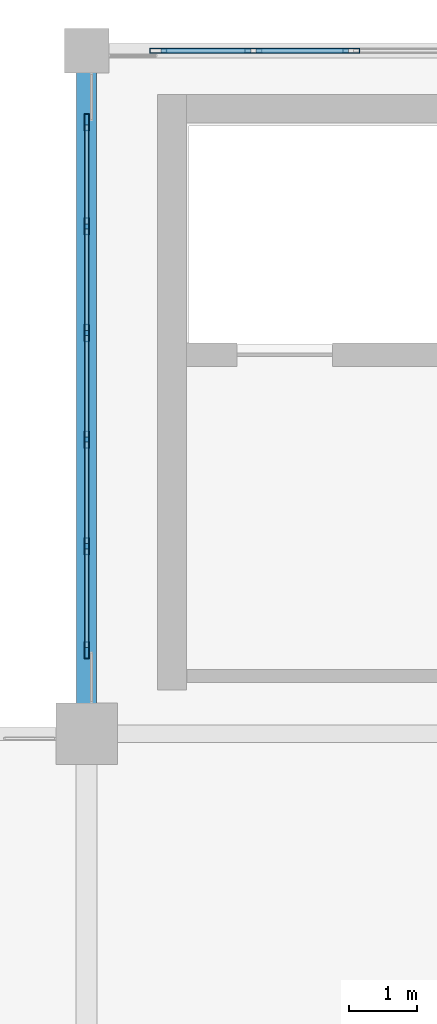
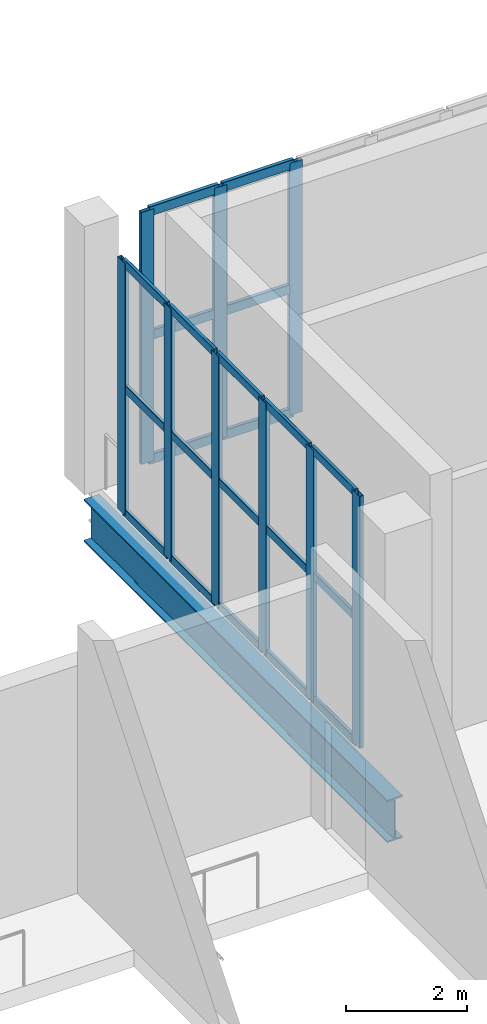
# One storey, part 18 of 74: 30 members, 1 beam, 2 elements without a shape of their own.
"""IFC4 building model written with IfcOpenShell, lengths in metres."""

from ifc_helpers import new_model, si_unit, direction, frame, origin, origin_2d, place, context, subcontext, project, spatial, hollow_rectangle, i_section, extrude, material, layer, layer_set, material_profile, profile_set, type_object, element, aggregate, save


model = new_model("IFC4")

# Units and contexts
model_context = context("Model", 3, precision=1e-05, world=origin(), true_north=direction((0.0, 1.0)))
body_context = subcontext(model_context, "Body", "Model", "MODEL_VIEW")
ifc_project = project(units=[si_unit("LENGTHUNIT", "METRE"), si_unit("AREAUNIT", "SQUARE_METRE"), si_unit("VOLUMEUNIT", "CUBIC_METRE"), si_unit("PLANEANGLEUNIT", "RADIAN"), si_unit("MASSUNIT", "GRAM", prefix="KILO")], contexts=[model_context])

# Site, building, storey
site_placement = place(None, origin())
site = spatial("IfcSite", under=ifc_project, at=site_placement, CompositionType="ELEMENT")
building_placement = place(site_placement, origin())
building = spatial("IfcBuilding", under=site, at=building_placement, Name="Brinegate Civic Arena", CompositionType="ELEMENT")
storey_placement = place(building_placement, frame((0.0, 0.0, 19.199951171875)))
storey = spatial("IfcBuildingStorey", under=building, at=storey_placement, Name="L04", CompositionType="ELEMENT", Elevation=19.199951171875)

# Curtain wall, members
ifc_material_1 = material(Name="Marine grade aluminium", Category="aluminium")
ifc_layer = layer(ifc_material_1, 0.235107421875, Name="Marine grade aluminium")
ifc_layer_set = layer_set([ifc_layer], Name="Marine grade aluminium")
curtain_wall_type = type_object("IfcCurtainWallType", Name="CW-PORTAL-NORTH-01", PredefinedType="USERDEFINED", material=ifc_layer_set)
curtain_wall_1_placement = place(storey_placement, origin())
curtain_wall_1 = element("IfcCurtainWall", 1, at=curtain_wall_1_placement, inside=storey, type_object=curtain_wall_type, Name="Curtain Wall CWA-144", ObjectType="PORTAL CURTAIN WALL", PredefinedType="USERDEFINED")
ifc_material_profile_1 = material_profile(ifc_material_1, hollow_rectangle(XDim=0.074951171875, YDim=0.25, WallThickness=0.006103515625, InnerFilletRadius=0.00390625, OuterFilletRadius=0.008056640625, at=origin_2d()), Name="MUL75X250")
ifc_profile_set_1 = profile_set([ifc_material_profile_1], Name="Marine grade aluminium")
member_type_1 = type_object("IfcMemberType", Name="CW-MULLION-75X250", PredefinedType="MULLION", material=ifc_profile_set_1)
member_1_placement = place(storey_placement, frame((85.047607421875, 124.0, 0.0), z_axis=(0.0, 0.0, 1.0), x_axis=(0.0, 1.0, 0.0)))
member_1 = element("IfcMember", 2, at=member_1_placement, type_object=member_type_1, Name="CWA-144 mullion 1", PredefinedType="MULLION", context=body_context, shape_type="SweptSolid", body=[
    extrude(hollow_rectangle(XDim=0.074951171875, YDim=0.25, WallThickness=0.006103515625, InnerFilletRadius=0.00390625, OuterFilletRadius=0.008056640625, at=origin_2d()), origin(), (0.0, 0.0, 1.0), 5.070068359375),
])
member_2_placement = place(storey_placement, frame((86.44091796875, 124.0, 0.0), z_axis=(0.0, 0.0, 1.0), x_axis=(0.0, 1.0, 0.0)))
member_2 = element("IfcMember", 3, at=member_2_placement, type_object=member_type_1, Name="CWA-144 mullion 2", PredefinedType="MULLION", context=body_context, shape_type="SweptSolid", body=[
    extrude(hollow_rectangle(XDim=0.074951171875, YDim=0.25, WallThickness=0.006103515625, InnerFilletRadius=0.00390625, OuterFilletRadius=0.008056640625, at=origin_2d()), origin(), (0.0, 0.0, 1.0), 5.070068359375),
])
member_3_placement = place(storey_placement, frame((87.871826171875, 124.0, 0.0), z_axis=(0.0, 0.0, 1.0), x_axis=(0.0, 1.0, 0.0)))
member_3 = element("IfcMember", 4, at=member_3_placement, type_object=member_type_1, Name="CWA-144 mullion 3", PredefinedType="MULLION", context=body_context, shape_type="SweptSolid", body=[
    extrude(hollow_rectangle(XDim=0.074951171875, YDim=0.25, WallThickness=0.006103515625, InnerFilletRadius=0.00390625, OuterFilletRadius=0.008056640625, at=origin_2d()), origin(), (0.0, 0.0, 1.0), 5.070068359375),
])

curtain_wall_2_placement = place(storey_placement, origin())
curtain_wall_2 = element("IfcCurtainWall", 5, at=curtain_wall_2_placement, inside=storey, type_object=curtain_wall_type, Name="Curtain Wall CWA-148", ObjectType="PORTAL CURTAIN WALL", PredefinedType="USERDEFINED")
member_4_placement = place(storey_placement, frame((84.0, 115.223388671875, 0.0), z_axis=(0.0, 0.0, 1.0), x_axis=(-1.0, 0.0, 0.0)))
member_4 = element("IfcMember", 6, at=member_4_placement, type_object=member_type_1, Name="CWA-148 mullion 1", PredefinedType="MULLION", context=body_context, shape_type="SweptSolid", body=[
    extrude(hollow_rectangle(XDim=0.074951171875, YDim=0.25, WallThickness=0.006103515625, InnerFilletRadius=0.00390625, OuterFilletRadius=0.008056640625, at=origin_2d()), origin(), (0.0, 0.0, 1.0), 5.070068359375),
])
member_5_placement = place(storey_placement, frame((84.0, 116.746826171875, 0.0), z_axis=(0.0, 0.0, 1.0), x_axis=(-1.0, 0.0, 0.0)))
member_5 = element("IfcMember", 7, at=member_5_placement, type_object=member_type_1, Name="CWA-148 mullion 2", PredefinedType="MULLION", context=body_context, shape_type="SweptSolid", body=[
    extrude(hollow_rectangle(XDim=0.074951171875, YDim=0.25, WallThickness=0.006103515625, InnerFilletRadius=0.00390625, OuterFilletRadius=0.008056640625, at=origin_2d()), origin(), (0.0, 0.0, 1.0), 5.070068359375),
])
member_6_placement = place(storey_placement, frame((84.0, 118.3076171875, 0.0), z_axis=(0.0, 0.0, 1.0), x_axis=(-1.0, 0.0, 0.0)))
member_6 = element("IfcMember", 8, at=member_6_placement, type_object=member_type_1, Name="CWA-148 mullion 3", PredefinedType="MULLION", context=body_context, shape_type="SweptSolid", body=[
    extrude(hollow_rectangle(XDim=0.074951171875, YDim=0.25, WallThickness=0.006103515625, InnerFilletRadius=0.00390625, OuterFilletRadius=0.008056640625, at=origin_2d()), origin(), (0.0, 0.0, 1.0), 5.070068359375),
])
member_7_placement = place(storey_placement, frame((84.0, 119.868408203125, 0.0), z_axis=(0.0, 0.0, 1.0), x_axis=(-1.0, 0.0, 0.0)))
member_7 = element("IfcMember", 9, at=member_7_placement, type_object=member_type_1, Name="CWA-148 mullion 4", PredefinedType="MULLION", context=body_context, shape_type="SweptSolid", body=[
    extrude(hollow_rectangle(XDim=0.074951171875, YDim=0.25, WallThickness=0.006103515625, InnerFilletRadius=0.00390625, OuterFilletRadius=0.008056640625, at=origin_2d()), origin(), (0.0, 0.0, 1.0), 5.070068359375),
])
member_8_placement = place(storey_placement, frame((84.0, 121.42919921875, 0.0), z_axis=(0.0, 0.0, 1.0), x_axis=(-1.0, 0.0, 0.0)))
member_8 = element("IfcMember", 10, at=member_8_placement, type_object=member_type_1, Name="CWA-148 mullion 5", PredefinedType="MULLION", context=body_context, shape_type="SweptSolid", body=[
    extrude(hollow_rectangle(XDim=0.074951171875, YDim=0.25, WallThickness=0.006103515625, InnerFilletRadius=0.00390625, OuterFilletRadius=0.008056640625, at=origin_2d()), origin(), (0.0, 0.0, 1.0), 5.070068359375),
])
member_9_placement = place(storey_placement, frame((84.0, 122.952392578125, 0.0), z_axis=(0.0, 0.0, 1.0), x_axis=(-1.0, 0.0, 0.0)))
member_9 = element("IfcMember", 11, at=member_9_placement, type_object=member_type_1, Name="CWA-148 mullion 6", PredefinedType="MULLION", context=body_context, shape_type="SweptSolid", body=[
    extrude(hollow_rectangle(XDim=0.074951171875, YDim=0.25, WallThickness=0.006103515625, InnerFilletRadius=0.00390625, OuterFilletRadius=0.008056640625, at=origin_2d()), origin(), (0.0, 0.0, 1.0), 5.070068359375),
])
ifc_material_profile_2 = material_profile(ifc_material_1, hollow_rectangle(XDim=0.06494140625, YDim=0.1650390625, WallThickness=0.0048828125, InnerFilletRadius=0.00390625, OuterFilletRadius=0.008056640625, at=origin_2d()), Name="TRN65X165")
ifc_profile_set_2 = profile_set([ifc_material_profile_2], Name="Marine grade aluminium")
member_type_2 = type_object("IfcMemberType", Name="CW-TRANSOM-65X165", PredefinedType="USERDEFINED", material=ifc_profile_set_2)
member_10_placement = place(storey_placement, frame((84.0, 115.260986328125, 0.032470703125), z_axis=(0.0, 1.0, 0.0), x_axis=(-1.0, 0.0, 0.0)))
member_10 = element("IfcMember", 12, at=member_10_placement, type_object=member_type_2, Name="CWA-148 transom 1.1", ObjectType="TRANSOM", PredefinedType="USERDEFINED", context=body_context, shape_type="SweptSolid", body=[
    extrude(hollow_rectangle(XDim=0.06494140625, YDim=0.1650390625, WallThickness=0.0048828125, InnerFilletRadius=0.00390625, OuterFilletRadius=0.008056640625, at=origin_2d()), origin(), (0.0, 0.0, 1.0), 1.4482421875),
])
member_11_placement = place(storey_placement, frame((84.0, 115.260986328125, 2.53515625), z_axis=(0.0, 1.0, 0.0), x_axis=(-1.0, 0.0, 0.0)))
member_11 = element("IfcMember", 13, at=member_11_placement, type_object=member_type_2, Name="CWA-148 transom 1.2", ObjectType="TRANSOM", PredefinedType="USERDEFINED", context=body_context, shape_type="SweptSolid", body=[
    extrude(hollow_rectangle(XDim=0.06494140625, YDim=0.1650390625, WallThickness=0.0048828125, InnerFilletRadius=0.00390625, OuterFilletRadius=0.008056640625, at=origin_2d()), origin(), (0.0, 0.0, 1.0), 1.4482421875),
])
member_12_placement = place(storey_placement, frame((84.0, 115.260986328125, 5.03759765625), z_axis=(0.0, 1.0, 0.0), x_axis=(-1.0, 0.0, 0.0)))
member_12 = element("IfcMember", 14, at=member_12_placement, type_object=member_type_2, Name="CWA-148 transom 1.3", ObjectType="TRANSOM", PredefinedType="USERDEFINED", context=body_context, shape_type="SweptSolid", body=[
    extrude(hollow_rectangle(XDim=0.06494140625, YDim=0.1650390625, WallThickness=0.0048828125, InnerFilletRadius=0.00390625, OuterFilletRadius=0.008056640625, at=origin_2d()), origin(), (0.0, 0.0, 1.0), 1.4482421875),
])
member_13_placement = place(storey_placement, frame((84.0, 116.7841796875, 0.032470703125), z_axis=(0.0, 1.0, 0.0), x_axis=(-1.0, 0.0, 0.0)))
member_13 = element("IfcMember", 15, at=member_13_placement, type_object=member_type_2, Name="CWA-148 transom 2.1", ObjectType="TRANSOM", PredefinedType="USERDEFINED", context=body_context, shape_type="SweptSolid", body=[
    extrude(hollow_rectangle(XDim=0.06494140625, YDim=0.1650390625, WallThickness=0.0048828125, InnerFilletRadius=0.00390625, OuterFilletRadius=0.008056640625, at=origin_2d()), origin(), (0.0, 0.0, 1.0), 1.48583984375),
])
member_14_placement = place(storey_placement, frame((84.0, 116.7841796875, 2.53515625), z_axis=(0.0, 1.0, 0.0), x_axis=(-1.0, 0.0, 0.0)))
member_14 = element("IfcMember", 16, at=member_14_placement, type_object=member_type_2, Name="CWA-148 transom 2.2", ObjectType="TRANSOM", PredefinedType="USERDEFINED", context=body_context, shape_type="SweptSolid", body=[
    extrude(hollow_rectangle(XDim=0.06494140625, YDim=0.1650390625, WallThickness=0.0048828125, InnerFilletRadius=0.00390625, OuterFilletRadius=0.008056640625, at=origin_2d()), origin(), (0.0, 0.0, 1.0), 1.48583984375),
])
member_15_placement = place(storey_placement, frame((84.0, 116.7841796875, 5.03759765625), z_axis=(0.0, 1.0, 0.0), x_axis=(-1.0, 0.0, 0.0)))
member_15 = element("IfcMember", 17, at=member_15_placement, type_object=member_type_2, Name="CWA-148 transom 2.3", ObjectType="TRANSOM", PredefinedType="USERDEFINED", context=body_context, shape_type="SweptSolid", body=[
    extrude(hollow_rectangle(XDim=0.06494140625, YDim=0.1650390625, WallThickness=0.0048828125, InnerFilletRadius=0.00390625, OuterFilletRadius=0.008056640625, at=origin_2d()), origin(), (0.0, 0.0, 1.0), 1.48583984375),
])
member_16_placement = place(storey_placement, frame((84.0, 118.34521484375, 0.032470703125), z_axis=(0.0, 1.0, 0.0), x_axis=(-1.0, 0.0, 0.0)))
member_16 = element("IfcMember", 18, at=member_16_placement, type_object=member_type_2, Name="CWA-148 transom 3.1", ObjectType="TRANSOM", PredefinedType="USERDEFINED", context=body_context, shape_type="SweptSolid", body=[
    extrude(hollow_rectangle(XDim=0.06494140625, YDim=0.1650390625, WallThickness=0.0048828125, InnerFilletRadius=0.00390625, OuterFilletRadius=0.008056640625, at=origin_2d()), origin(), (0.0, 0.0, 1.0), 1.485595703125),
])
member_17_placement = place(storey_placement, frame((84.0, 118.34521484375, 2.53515625), z_axis=(0.0, 1.0, 0.0), x_axis=(-1.0, 0.0, 0.0)))
member_17 = element("IfcMember", 19, at=member_17_placement, type_object=member_type_2, Name="CWA-148 transom 3.2", ObjectType="TRANSOM", PredefinedType="USERDEFINED", context=body_context, shape_type="SweptSolid", body=[
    extrude(hollow_rectangle(XDim=0.06494140625, YDim=0.1650390625, WallThickness=0.0048828125, InnerFilletRadius=0.00390625, OuterFilletRadius=0.008056640625, at=origin_2d()), origin(), (0.0, 0.0, 1.0), 1.485595703125),
])
member_18_placement = place(storey_placement, frame((84.0, 118.34521484375, 5.03759765625), z_axis=(0.0, 1.0, 0.0), x_axis=(-1.0, 0.0, 0.0)))
member_18 = element("IfcMember", 20, at=member_18_placement, type_object=member_type_2, Name="CWA-148 transom 3.3", ObjectType="TRANSOM", PredefinedType="USERDEFINED", context=body_context, shape_type="SweptSolid", body=[
    extrude(hollow_rectangle(XDim=0.06494140625, YDim=0.1650390625, WallThickness=0.0048828125, InnerFilletRadius=0.00390625, OuterFilletRadius=0.008056640625, at=origin_2d()), origin(), (0.0, 0.0, 1.0), 1.485595703125),
])
member_19_placement = place(storey_placement, frame((84.0, 119.906005859375, 0.032470703125), z_axis=(0.0, 1.0, 0.0), x_axis=(-1.0, 0.0, 0.0)))
member_19 = element("IfcMember", 21, at=member_19_placement, type_object=member_type_2, Name="CWA-148 transom 4.1", ObjectType="TRANSOM", PredefinedType="USERDEFINED", context=body_context, shape_type="SweptSolid", body=[
    extrude(hollow_rectangle(XDim=0.06494140625, YDim=0.1650390625, WallThickness=0.0048828125, InnerFilletRadius=0.00390625, OuterFilletRadius=0.008056640625, at=origin_2d()), origin(), (0.0, 0.0, 1.0), 1.485595703125),
])
member_20_placement = place(storey_placement, frame((84.0, 119.906005859375, 2.53515625), z_axis=(0.0, 1.0, 0.0), x_axis=(-1.0, 0.0, 0.0)))
member_20 = element("IfcMember", 22, at=member_20_placement, type_object=member_type_2, Name="CWA-148 transom 4.2", ObjectType="TRANSOM", PredefinedType="USERDEFINED", context=body_context, shape_type="SweptSolid", body=[
    extrude(hollow_rectangle(XDim=0.06494140625, YDim=0.1650390625, WallThickness=0.0048828125, InnerFilletRadius=0.00390625, OuterFilletRadius=0.008056640625, at=origin_2d()), origin(), (0.0, 0.0, 1.0), 1.485595703125),
])
member_21_placement = place(storey_placement, frame((84.0, 119.906005859375, 5.03759765625), z_axis=(0.0, 1.0, 0.0), x_axis=(-1.0, 0.0, 0.0)))
member_21 = element("IfcMember", 23, at=member_21_placement, type_object=member_type_2, Name="CWA-148 transom 4.3", ObjectType="TRANSOM", PredefinedType="USERDEFINED", context=body_context, shape_type="SweptSolid", body=[
    extrude(hollow_rectangle(XDim=0.06494140625, YDim=0.1650390625, WallThickness=0.0048828125, InnerFilletRadius=0.00390625, OuterFilletRadius=0.008056640625, at=origin_2d()), origin(), (0.0, 0.0, 1.0), 1.485595703125),
])
member_22_placement = place(storey_placement, frame((84.0, 121.466796875, 0.032470703125), z_axis=(0.0, 1.0, 0.0), x_axis=(-1.0, 0.0, 0.0)))
member_22 = element("IfcMember", 24, at=member_22_placement, type_object=member_type_2, Name="CWA-148 transom 5.1", ObjectType="TRANSOM", PredefinedType="USERDEFINED", context=body_context, shape_type="SweptSolid", body=[
    extrude(hollow_rectangle(XDim=0.06494140625, YDim=0.1650390625, WallThickness=0.0048828125, InnerFilletRadius=0.00390625, OuterFilletRadius=0.008056640625, at=origin_2d()), origin(), (0.0, 0.0, 1.0), 1.4482421875),
])
member_23_placement = place(storey_placement, frame((84.0, 121.466796875, 2.53515625), z_axis=(0.0, 1.0, 0.0), x_axis=(-1.0, 0.0, 0.0)))
member_23 = element("IfcMember", 25, at=member_23_placement, type_object=member_type_2, Name="CWA-148 transom 5.2", ObjectType="TRANSOM", PredefinedType="USERDEFINED", context=body_context, shape_type="SweptSolid", body=[
    extrude(hollow_rectangle(XDim=0.06494140625, YDim=0.1650390625, WallThickness=0.0048828125, InnerFilletRadius=0.00390625, OuterFilletRadius=0.008056640625, at=origin_2d()), origin(), (0.0, 0.0, 1.0), 1.4482421875),
])
member_24_placement = place(storey_placement, frame((84.0, 121.466796875, 5.03759765625), z_axis=(0.0, 1.0, 0.0), x_axis=(-1.0, 0.0, 0.0)))
member_24 = element("IfcMember", 26, at=member_24_placement, type_object=member_type_2, Name="CWA-148 transom 5.3", ObjectType="TRANSOM", PredefinedType="USERDEFINED", context=body_context, shape_type="SweptSolid", body=[
    extrude(hollow_rectangle(XDim=0.06494140625, YDim=0.1650390625, WallThickness=0.0048828125, InnerFilletRadius=0.00390625, OuterFilletRadius=0.008056640625, at=origin_2d()), origin(), (0.0, 0.0, 1.0), 1.4482421875),
])
aggregate(curtain_wall_2, [member_4, member_5, member_6, member_7, member_8, member_9, member_10, member_11, member_12, member_13, member_14, member_15, member_16, member_17, member_18, member_19, member_20, member_21, member_22, member_23, member_24])

# Member
ifc_material_profile_3 = material_profile(ifc_material_1, hollow_rectangle(XDim=0.074951171875, YDim=0.18994140625, WallThickness=0.006103515625, InnerFilletRadius=0.00390625, OuterFilletRadius=0.008056640625, at=origin_2d()), Name="TRN75X190")
ifc_profile_set_3 = profile_set([ifc_material_profile_3], Name="Marine grade aluminium")
member_type_3 = type_object("IfcMemberType", Name="CW-TRANSOM-75X190", PredefinedType="USERDEFINED", material=ifc_profile_set_3)
member_25_placement = place(storey_placement, frame((85.0849609375, 124.0, 0.03759765625), z_axis=(1.0, 0.0, 0.0), x_axis=(0.0, 1.0, 0.0)))
member_25 = element("IfcMember", 27, at=member_25_placement, type_object=member_type_3, Name="CWA-144 transom 1.1", ObjectType="TRANSOM", PredefinedType="USERDEFINED", context=body_context, shape_type="SweptSolid", body=[
    extrude(hollow_rectangle(XDim=0.074951171875, YDim=0.18994140625, WallThickness=0.006103515625, InnerFilletRadius=0.00390625, OuterFilletRadius=0.008056640625, at=origin_2d()), origin(), (0.0, 0.0, 1.0), 1.318359375),
])

member_26_placement = place(storey_placement, frame((85.0849609375, 124.0, 2.53515625), z_axis=(1.0, 0.0, 0.0), x_axis=(0.0, 1.0, 0.0)))
member_26 = element("IfcMember", 28, at=member_26_placement, type_object=member_type_3, Name="CWA-144 transom 1.2", ObjectType="TRANSOM", PredefinedType="USERDEFINED", context=body_context, shape_type="SweptSolid", body=[
    extrude(hollow_rectangle(XDim=0.074951171875, YDim=0.18994140625, WallThickness=0.006103515625, InnerFilletRadius=0.00390625, OuterFilletRadius=0.008056640625, at=origin_2d()), origin(), (0.0, 0.0, 1.0), 1.318359375),
])

member_27_placement = place(storey_placement, frame((85.0849609375, 124.0, 5.032470703125), z_axis=(1.0, 0.0, 0.0), x_axis=(0.0, 1.0, 0.0)))
member_27 = element("IfcMember", 29, at=member_27_placement, type_object=member_type_3, Name="CWA-144 transom 1.3", ObjectType="TRANSOM", PredefinedType="USERDEFINED", context=body_context, shape_type="SweptSolid", body=[
    extrude(hollow_rectangle(XDim=0.074951171875, YDim=0.18994140625, WallThickness=0.006103515625, InnerFilletRadius=0.00390625, OuterFilletRadius=0.008056640625, at=origin_2d()), origin(), (0.0, 0.0, 1.0), 1.318359375),
])

member_28_placement = place(storey_placement, frame((86.478271484375, 124.0, 0.03759765625), z_axis=(1.0, 0.0, 0.0), x_axis=(0.0, 1.0, 0.0)))
member_28 = element("IfcMember", 30, at=member_28_placement, type_object=member_type_3, Name="CWA-144 transom 2.1", ObjectType="TRANSOM", PredefinedType="USERDEFINED", context=body_context, shape_type="SweptSolid", body=[
    extrude(hollow_rectangle(XDim=0.074951171875, YDim=0.18994140625, WallThickness=0.006103515625, InnerFilletRadius=0.00390625, OuterFilletRadius=0.008056640625, at=origin_2d()), origin(), (0.0, 0.0, 1.0), 1.35595703125),
])

member_29_placement = place(storey_placement, frame((86.478271484375, 124.0, 2.53515625), z_axis=(1.0, 0.0, 0.0), x_axis=(0.0, 1.0, 0.0)))
member_29 = element("IfcMember", 31, at=member_29_placement, type_object=member_type_3, Name="CWA-144 transom 2.2", ObjectType="TRANSOM", PredefinedType="USERDEFINED", context=body_context, shape_type="SweptSolid", body=[
    extrude(hollow_rectangle(XDim=0.074951171875, YDim=0.18994140625, WallThickness=0.006103515625, InnerFilletRadius=0.00390625, OuterFilletRadius=0.008056640625, at=origin_2d()), origin(), (0.0, 0.0, 1.0), 1.35595703125),
])

member_30_placement = place(storey_placement, frame((86.478271484375, 124.0, 5.032470703125), z_axis=(1.0, 0.0, 0.0), x_axis=(0.0, 1.0, 0.0)))
member_30 = element("IfcMember", 32, at=member_30_placement, type_object=member_type_3, Name="CWA-144 transom 2.3", ObjectType="TRANSOM", PredefinedType="USERDEFINED", context=body_context, shape_type="SweptSolid", body=[
    extrude(hollow_rectangle(XDim=0.074951171875, YDim=0.18994140625, WallThickness=0.006103515625, InnerFilletRadius=0.00390625, OuterFilletRadius=0.008056640625, at=origin_2d()), origin(), (0.0, 0.0, 1.0), 1.35595703125),
])

aggregate(curtain_wall_1, [member_1, member_2, member_3, member_25, member_26, member_27, member_28, member_29, member_30])

# Beam
ifc_material_2 = material(Name="Steel S355", Category="steel")
ifc_material_profile_4 = material_profile(ifc_material_2, i_section(OverallWidth=0.2939453125, OverallDepth=0.85107421875, WebThickness=0.01611328125, FlangeThickness=0.027099609375, FilletRadius=0.02197265625, at=origin_2d()), Name="W840X226")
ifc_profile_set_4 = profile_set([ifc_material_profile_4], Name="Steel S355")
beam_type = type_object("IfcBeamType", Name="GIRDER-W840X226", PredefinedType="BEAM", material=ifc_profile_set_4)
beam_placement = place(storey_placement, frame((84.0, 114.0, -0.764892578125), z_axis=(0.0, 1.0, 0.0), x_axis=(-1.0, 0.0, 0.0)))
element("IfcBeam", 33, at=beam_placement, inside=storey, type_object=beam_type, Name="Floor Girder BM-L04-GY-07-11", PredefinedType="BEAM", context=body_context, shape_type="SweptSolid", body=[
    extrude(i_section(OverallWidth=0.2939453125, OverallDepth=0.85107421875, WebThickness=0.01611328125, FlangeThickness=0.027099609375, FilletRadius=0.02197265625, at=origin_2d()), origin(), (0.0, 0.0, 1.0), 10.0),
])

save(model, "model.ifc")
